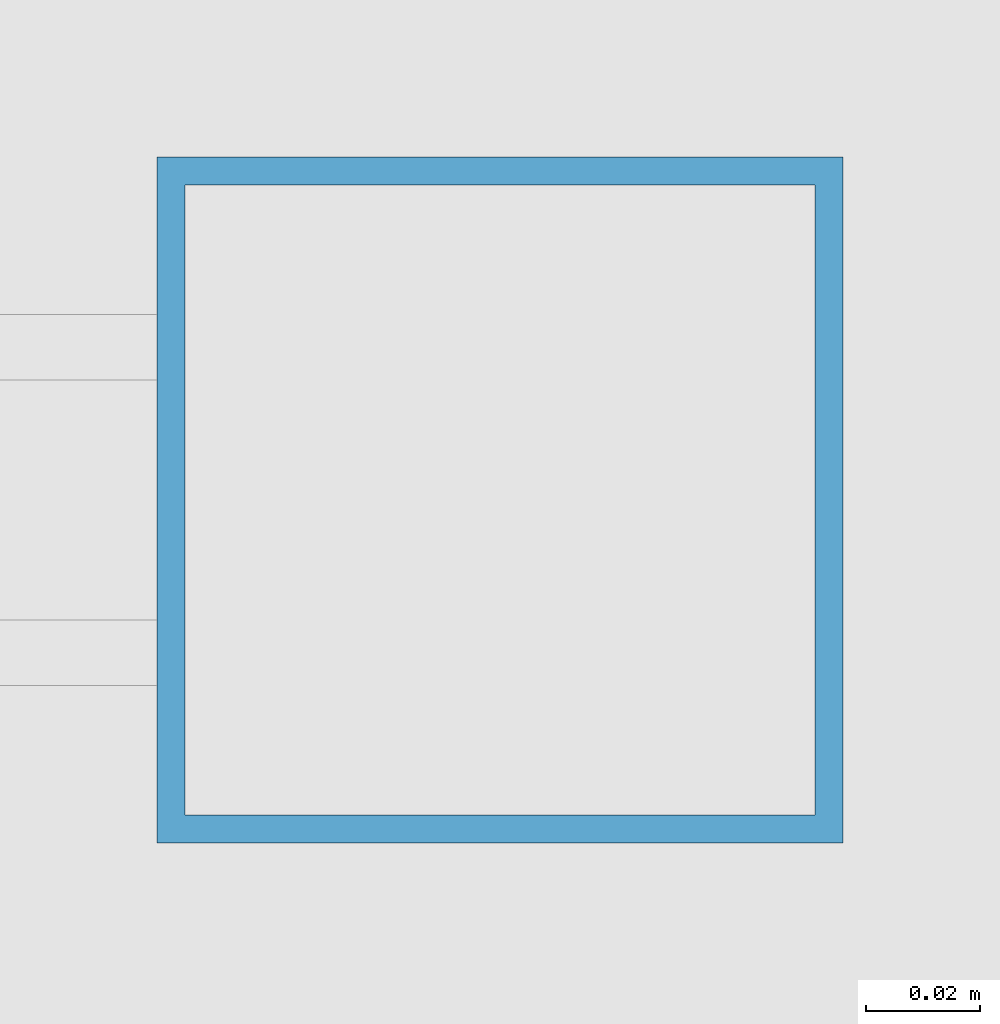
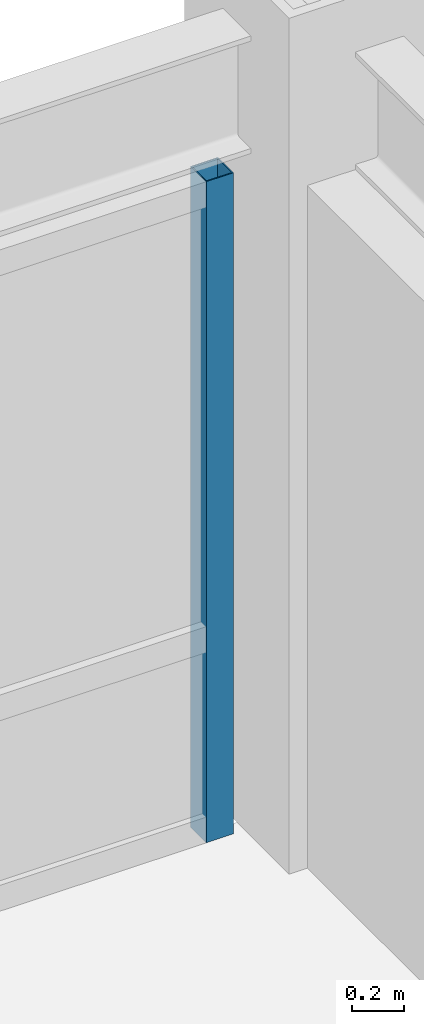
# One storey, part 22 of 28: 1 member, 1 element without a shape of its own.
"""IFC4 building model written with IfcOpenShell, lengths in metres."""

from ifc_helpers import new_model, si_unit, direction, frame, origin, origin_2d, place, context, subcontext, project, spatial, hollow_rectangle, extrude, source, transform, mapped, material, material_profile, profile_set, type_object, element, aggregate, save


model = new_model("IFC4")

# Units and contexts
model_context = context("Model", 3, precision=1e-05, world=origin(), true_north=direction((0.0, 1.0)))
body_context = subcontext(model_context, "Body", "Model", "MODEL_VIEW")
ifc_project = project(units=[si_unit("LENGTHUNIT", "METRE"), si_unit("AREAUNIT", "SQUARE_METRE"), si_unit("VOLUMEUNIT", "CUBIC_METRE"), si_unit("PLANEANGLEUNIT", "RADIAN"), si_unit("MASSUNIT", "GRAM", prefix="KILO")], contexts=[model_context])

# Site, building, storey
site_placement = place(None, origin())
site = spatial("IfcSite", under=ifc_project, at=site_placement, CompositionType="ELEMENT")
building_placement = place(site_placement, origin())
building = spatial("IfcBuilding", under=site, at=building_placement, Name="Khorayat Bourse Tower", CompositionType="ELEMENT")
storey_placement = place(building_placement, frame((0.0, 0.0, 338.300048828125)))
storey = spatial("IfcBuildingStorey", under=building, at=storey_placement, Name="L80", CompositionType="ELEMENT", Elevation=338.300048828125)

# Curtain wall, member
ifc_material = material(Name="Aluminium EN AW-6063 T6", Category="aluminium")
curtain_wall_type = type_object("IfcCurtainWallType", Name="CW-SYS-04", PredefinedType="NOTDEFINED", material=ifc_material)
curtain_wall_placement = place(storey_placement, origin())
curtain_wall = element("IfcCurtainWall", 1, at=curtain_wall_placement, inside=storey, type_object=curtain_wall_type, Name="L80 Curtain Wall CW-L80-N1", PredefinedType="NOTDEFINED")
ifc_material_profile = material_profile(ifc_material, hollow_rectangle(XDim=0.1201171875, YDim=0.1201171875, WallThickness=0.0048828125, at=origin_2d()), Name="ALU 120x120x5")
ifc_profile_set = profile_set([ifc_material_profile], Name="Aluminium EN AW-6063 T6")
member_type = type_object("IfcMemberType", Name="CWM-VERT-120", PredefinedType="MULLION", material=ifc_profile_set)
shared_shape = source(origin(), body_context, "Body", "SweptSolid", [
    extrude(hollow_rectangle(XDim=0.1201171875, YDim=0.1201171875, WallThickness=0.0048828125, at=origin_2d()), origin(), (0.0, 0.0, 1.0), 3.08984375),
])
member_placement = place(storey_placement, frame((19.489990234375, 26.0, 0.0), z_axis=(0.0, 0.0, 1.0), x_axis=(0.0, 1.0, 0.0)))
member = element("IfcMember", 2, at=member_placement, type_object=member_type, Name="CW-L80-N1 Vertical Mullion 3", PredefinedType="MULLION", context=body_context, shape_type="MappedRepresentation", body=[
    mapped(shared_shape, transform((0.0, 0.0, 0.0), scale=1.0)),
])
aggregate(curtain_wall, [member])

save(model, "model.ifc")
